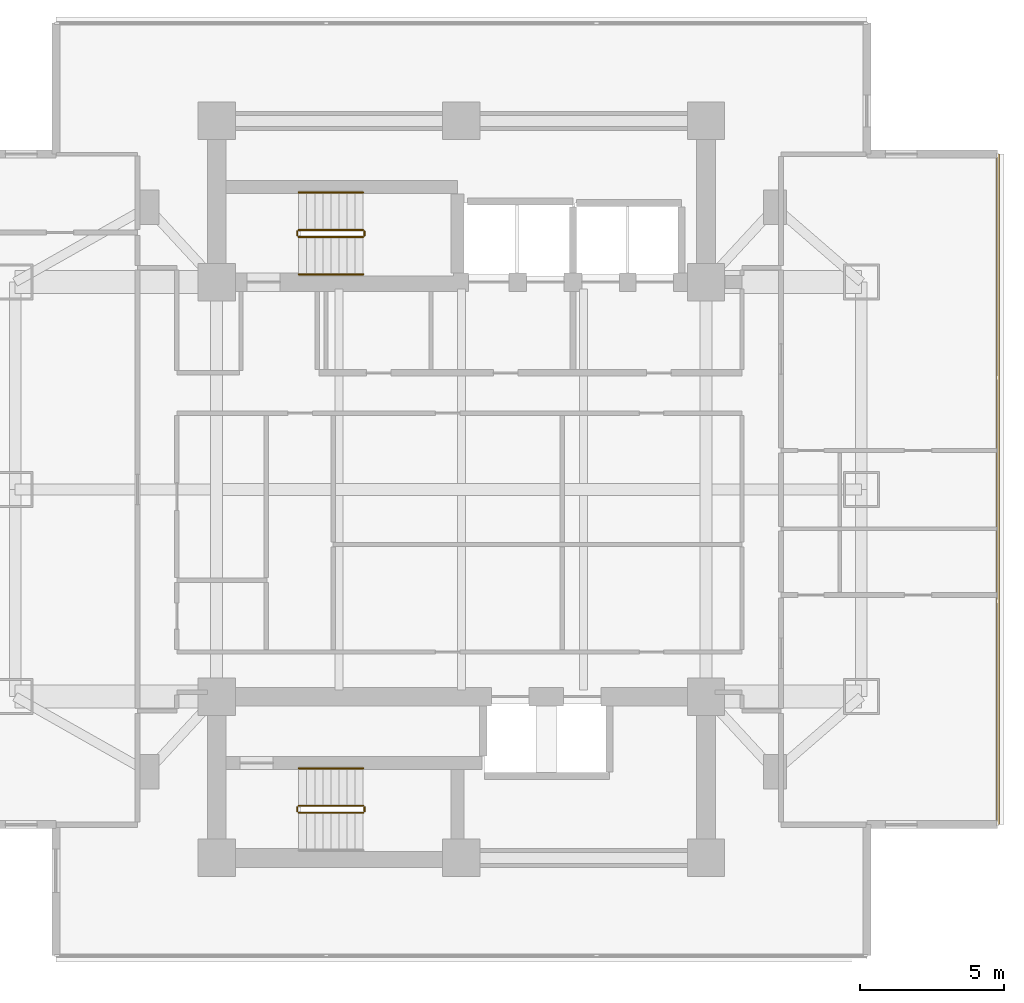
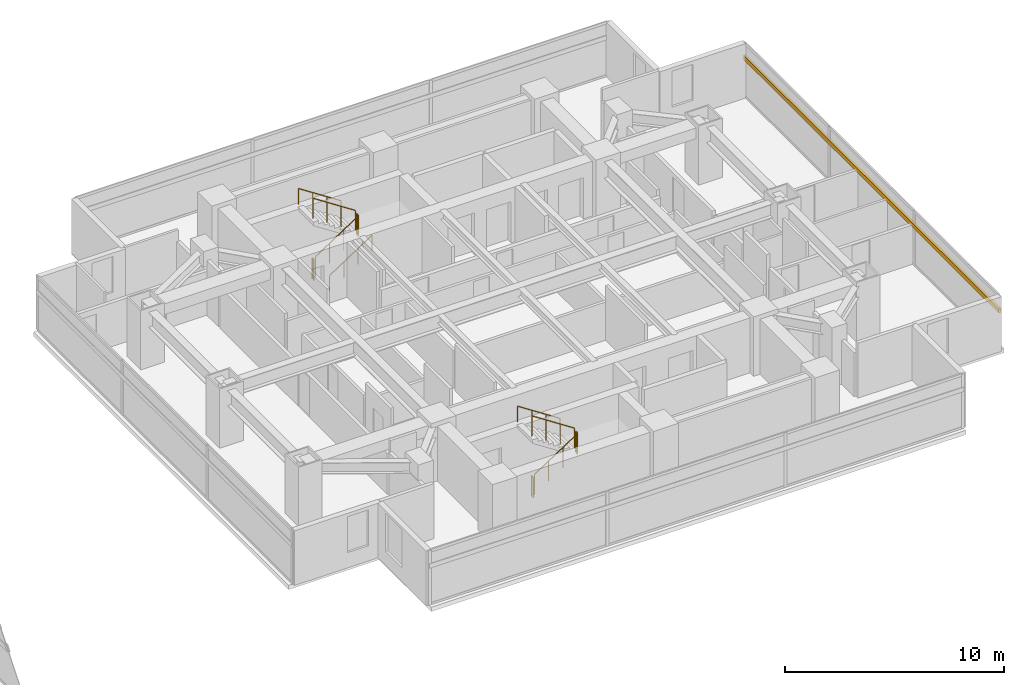
# One storey, part 23 of 24: 11 railings, 1 shading device.
"""IFC4 building model written with IfcOpenShell, lengths in metres."""

from ifc_helpers import new_model, si_unit, direction, frame, origin, origin_2d, place, context, subcontext, project, spatial, rectangle, circle, extrude, material, material_profile, profile_set, type_object, element, save


model = new_model("IFC4")

# Units and contexts
model_context = context("Model", 3, precision=1e-05, world=origin(), true_north=direction((0.0, 1.0)))
body_context = subcontext(model_context, "Body", "Model", "MODEL_VIEW")
ifc_project = project(units=[si_unit("LENGTHUNIT", "METRE"), si_unit("AREAUNIT", "SQUARE_METRE"), si_unit("VOLUMEUNIT", "CUBIC_METRE"), si_unit("PLANEANGLEUNIT", "RADIAN"), si_unit("MASSUNIT", "GRAM", prefix="KILO")], contexts=[model_context])

# Site, building, storey
site_placement = place(None, origin())
site = spatial("IfcSite", under=ifc_project, at=site_placement, CompositionType="ELEMENT")
building_placement = place(site_placement, origin())
building = spatial("IfcBuilding", under=site, at=building_placement, Name="Mirazonda Arch Towers", CompositionType="ELEMENT")
storey_placement = place(building_placement, frame((0.0, 0.0, 68.60009765625)))
storey = spatial("IfcBuildingStorey", under=building, at=storey_placement, Name="L19", CompositionType="ELEMENT", Elevation=68.60009765625)

# Shading device
ifc_material_1 = material(Name="Kiln-Fired Architectural Terracotta", Category="masonry")
ifc_material_profile = material_profile(ifc_material_1, rectangle(XDim=0.1201171875, YDim=0.239990234375, at=origin_2d()), Name="TERRA-BAG-120x240")
ifc_profile_set = profile_set([ifc_material_profile], Name="Kiln-Fired Architectural Terracotta")
shading_device_type = type_object("IfcShadingDeviceType", Name="BAGUETTE-1", PredefinedType="USERDEFINED", material=ifc_profile_set)
shading_device_placement = place(storey_placement, frame((95.1298828125, 16.353515625, 2.188720703125), z_axis=(0.0, 1.0, 0.0), x_axis=(-1.0, 0.0, 0.0)))
element("IfcShadingDevice", 1, at=shading_device_placement, inside=storey, type_object=shading_device_type, Name="L19 Glazed Terracotta Sun-Screen Baguette CW-L19-T2-E", ObjectType="BAGUETTE", PredefinedType="USERDEFINED", context=body_context, shape_type="SweptSolid", body=[
    extrude(rectangle(XDim=0.1201171875, YDim=0.239990234375, at=origin_2d()), origin(), (0.0, 0.0, 1.0), 23.29296875),
])

# Railings
ifc_material_2 = material(Name="Architectural Brushed Steel S355", Category="steel")
railing_type_1 = type_object("IfcRailingType", Name="GUARD-STAIR-1120", PredefinedType="GUARDRAIL", material=ifc_material_2)
railing_1_placement = place(storey_placement, frame((70.85009765625, 36.77001953125, 0.183349609375)))
element("IfcRailing", 2, at=railing_1_placement, inside=storey, type_object=railing_type_1, Name="L19 ST-T2N stair guard 1", PredefinedType="GUARDRAIL", context=body_context, shape_type="SweptSolid", body=[
    extrude(circle(Radius=0.02392578125, at=origin_2d()), frame((0.0, 0.0, 1.1259765625), z_axis=(0.836636935527, 0.0, 0.547757827979), x_axis=(0.0, 1.0, 0.0)), (0.0, 0.0, 1.0), 2.677490234375),
    extrude(circle(Radius=0.02099609375, at=origin_2d()), origin(), (0.0, 0.0, 1.0), 1.101806640625),
    extrude(circle(Radius=0.02099609375, at=origin_2d()), frame((0.74658203125, 0.0, 0.48876953125)), (0.0, 0.0, 1.0), 1.101806640625),
    extrude(circle(Radius=0.02099609375, at=origin_2d()), frame((1.493408203125, 0.0, 0.977783203125)), (0.0, 0.0, 1.0), 1.101806640625),
    extrude(circle(Radius=0.02099609375, at=origin_2d()), frame((2.239990234375, 0.0, 1.466552734375)), (0.0, 0.0, 1.0), 1.101806640625),
])
railing_2_placement = place(storey_placement, frame((73.139892578125, 36.820068359375, 1.64990234375)))
element("IfcRailing", 3, at=railing_2_placement, inside=storey, type_object=railing_type_1, Name="L19 ST-T2N stair guard 2", PredefinedType="GUARDRAIL", context=body_context, shape_type="SweptSolid", body=[
    extrude(circle(Radius=0.02392578125, at=origin_2d()), frame((0.0, 0.0, 1.1259765625), z_axis=(0.0, 1.0, 0.0), x_axis=(-1.0, 0.0, 0.0)), (0.0, 0.0, 1.0), 0.139892578125),
    extrude(circle(Radius=0.02099609375, at=origin_2d()), origin(), (0.0, 0.0, 1.0), 1.101806640625),
    extrude(circle(Radius=0.02099609375, at=origin_2d()), frame((0.0, 0.139892578125, 0.0)), (0.0, 0.0, 1.0), 1.101806640625),
])
railing_3_placement = place(storey_placement, frame((73.090087890625, 37.010009765625, 1.833251953125)))
element("IfcRailing", 4, at=railing_3_placement, inside=storey, type_object=railing_type_1, Name="L19 ST-T2N stair guard 3", PredefinedType="GUARDRAIL", context=body_context, shape_type="SweptSolid", body=[
    extrude(circle(Radius=0.02392578125, at=origin_2d()), frame((0.0, 0.0, 1.1259765625), z_axis=(-0.836636935527, 0.0, 0.547757827979), x_axis=(0.0, -1.0, 0.0)), (0.0, 0.0, 1.0), 2.677490234375),
    extrude(circle(Radius=0.02099609375, at=origin_2d()), origin(), (0.0, 0.0, 1.0), 1.101806640625),
    extrude(circle(Radius=0.02099609375, at=origin_2d()), frame((-0.74658203125, 0.0, 0.48876953125)), (0.0, 0.0, 1.0), 1.101806640625),
    extrude(circle(Radius=0.02099609375, at=origin_2d()), frame((-1.493408203125, 0.0, 0.977783203125)), (0.0, 0.0, 1.0), 1.101806640625),
    extrude(circle(Radius=0.02099609375, at=origin_2d()), frame((-2.239990234375, 0.0, 1.466552734375)), (0.0, 0.0, 1.0), 1.101806640625),
])
railing_4_placement = place(storey_placement, frame((70.800048828125, 36.820068359375, 0.0)))
element("IfcRailing", 5, at=railing_4_placement, inside=storey, type_object=railing_type_1, Name="L19 ST-T2N stair guard 4", PredefinedType="GUARDRAIL", context=body_context, shape_type="SweptSolid", body=[
    extrude(circle(Radius=0.02392578125, at=origin_2d()), frame((0.0, 0.0, 1.1259765625), z_axis=(0.0, 1.0, 0.0), x_axis=(-1.0, 0.0, 0.0)), (0.0, 0.0, 1.0), 0.139892578125),
    extrude(circle(Radius=0.02099609375, at=origin_2d()), origin(), (0.0, 0.0, 1.0), 1.101806640625),
    extrude(circle(Radius=0.02099609375, at=origin_2d()), frame((0.0, 0.139892578125, 0.0)), (0.0, 0.0, 1.0), 1.101806640625),
])
railing_5_placement = place(storey_placement, frame((70.85009765625, 16.77001953125, 0.183349609375)))
element("IfcRailing", 6, at=railing_5_placement, inside=storey, type_object=railing_type_1, Name="L19 ST-T2S stair guard 1", PredefinedType="GUARDRAIL", context=body_context, shape_type="SweptSolid", body=[
    extrude(circle(Radius=0.02392578125, at=origin_2d()), frame((0.0, 0.0, 1.1259765625), z_axis=(0.836636935527, 0.0, 0.547757827979), x_axis=(0.0, 1.0, 0.0)), (0.0, 0.0, 1.0), 2.677490234375),
    extrude(circle(Radius=0.02099609375, at=origin_2d()), origin(), (0.0, 0.0, 1.0), 1.101806640625),
    extrude(circle(Radius=0.02099609375, at=origin_2d()), frame((0.74658203125, 0.0, 0.48876953125)), (0.0, 0.0, 1.0), 1.101806640625),
    extrude(circle(Radius=0.02099609375, at=origin_2d()), frame((1.493408203125, 0.0, 0.977783203125)), (0.0, 0.0, 1.0), 1.101806640625),
    extrude(circle(Radius=0.02099609375, at=origin_2d()), frame((2.239990234375, 0.0, 1.466552734375)), (0.0, 0.0, 1.0), 1.101806640625),
])
railing_6_placement = place(storey_placement, frame((73.139892578125, 16.820068359375, 1.64990234375)))
element("IfcRailing", 7, at=railing_6_placement, inside=storey, type_object=railing_type_1, Name="L19 ST-T2S stair guard 2", PredefinedType="GUARDRAIL", context=body_context, shape_type="SweptSolid", body=[
    extrude(circle(Radius=0.02392578125, at=origin_2d()), frame((0.0, 0.0, 1.1259765625), z_axis=(0.0, 1.0, 0.0), x_axis=(-1.0, 0.0, 0.0)), (0.0, 0.0, 1.0), 0.139892578125),
    extrude(circle(Radius=0.02099609375, at=origin_2d()), origin(), (0.0, 0.0, 1.0), 1.101806640625),
    extrude(circle(Radius=0.02099609375, at=origin_2d()), frame((0.0, 0.139892578125, 0.0)), (0.0, 0.0, 1.0), 1.101806640625),
])
railing_7_placement = place(storey_placement, frame((73.090087890625, 17.010009765625, 1.833251953125)))
element("IfcRailing", 8, at=railing_7_placement, inside=storey, type_object=railing_type_1, Name="L19 ST-T2S stair guard 3", PredefinedType="GUARDRAIL", context=body_context, shape_type="SweptSolid", body=[
    extrude(circle(Radius=0.02392578125, at=origin_2d()), frame((0.0, 0.0, 1.1259765625), z_axis=(-0.836636935527, 0.0, 0.547757827979), x_axis=(0.0, -1.0, 0.0)), (0.0, 0.0, 1.0), 2.677490234375),
    extrude(circle(Radius=0.02099609375, at=origin_2d()), origin(), (0.0, 0.0, 1.0), 1.101806640625),
    extrude(circle(Radius=0.02099609375, at=origin_2d()), frame((-0.74658203125, 0.0, 0.48876953125)), (0.0, 0.0, 1.0), 1.101806640625),
    extrude(circle(Radius=0.02099609375, at=origin_2d()), frame((-1.493408203125, 0.0, 0.977783203125)), (0.0, 0.0, 1.0), 1.101806640625),
    extrude(circle(Radius=0.02099609375, at=origin_2d()), frame((-2.239990234375, 0.0, 1.466552734375)), (0.0, 0.0, 1.0), 1.101806640625),
])
railing_8_placement = place(storey_placement, frame((70.800048828125, 16.820068359375, 0.0)))
element("IfcRailing", 9, at=railing_8_placement, inside=storey, type_object=railing_type_1, Name="L19 ST-T2S stair guard 4", PredefinedType="GUARDRAIL", context=body_context, shape_type="SweptSolid", body=[
    extrude(circle(Radius=0.02392578125, at=origin_2d()), frame((0.0, 0.0, 1.1259765625), z_axis=(0.0, 1.0, 0.0), x_axis=(-1.0, 0.0, 0.0)), (0.0, 0.0, 1.0), 0.139892578125),
    extrude(circle(Radius=0.02099609375, at=origin_2d()), origin(), (0.0, 0.0, 1.0), 1.101806640625),
    extrude(circle(Radius=0.02099609375, at=origin_2d()), frame((0.0, 0.139892578125, 0.0)), (0.0, 0.0, 1.0), 1.101806640625),
])
railing_type_2 = type_object("IfcRailingType", Name="HANDRAIL-915", PredefinedType="HANDRAIL", material=ifc_material_2)
railing_9_placement = place(storey_placement, frame((70.85009765625, 35.469970703125, 0.183349609375)))
element("IfcRailing", 10, at=railing_9_placement, inside=storey, type_object=railing_type_2, Name="L19 ST-T2N stair handrail 1", PredefinedType="HANDRAIL", context=body_context, shape_type="SweptSolid", body=[
    extrude(circle(Radius=0.02392578125, at=origin_2d()), frame((0.0, 0.0, 0.8759765625), z_axis=(0.836636935527, 0.0, 0.547757827979), x_axis=(0.0, 1.0, 0.0)), (0.0, 0.0, 1.0), 2.677490234375),
    extrude(circle(Radius=0.02099609375, at=origin_2d()), origin(), (0.0, 0.0, 1.0), 0.851806640625),
    extrude(circle(Radius=0.02099609375, at=origin_2d()), frame((0.74658203125, 0.0, 0.48876953125)), (0.0, 0.0, 1.0), 0.851806640625),
    extrude(circle(Radius=0.02099609375, at=origin_2d()), frame((1.493408203125, 0.0, 0.977783203125)), (0.0, 0.0, 1.0), 0.851806640625),
    extrude(circle(Radius=0.02099609375, at=origin_2d()), frame((2.239990234375, 0.0, 1.466552734375)), (0.0, 0.0, 1.0), 0.851806640625),
])
for number, where, name in (
    (11, (73.090087890625, 38.31005859375, 1.833251953125), "L19 ST-T2N stair handrail 2"),
    (12, (73.090087890625, 18.31005859375, 1.833251953125), "L19 ST-T2S stair handrail 2"),
):
    element("IfcRailing", number, at=place(storey_placement, frame(where)), inside=storey, type_object=railing_type_2, Name=name, PredefinedType="HANDRAIL", context=body_context, shape_type="SweptSolid", body=[
        extrude(circle(Radius=0.02392578125, at=origin_2d()), frame((0.0, 0.0, 0.8759765625), z_axis=(-0.836636935527, 0.0, 0.547757827979), x_axis=(0.0, -1.0, 0.0)), (0.0, 0.0, 1.0), 2.677490234375),
        extrude(circle(Radius=0.02099609375, at=origin_2d()), origin(), (0.0, 0.0, 1.0), 0.851806640625),
        extrude(circle(Radius=0.02099609375, at=origin_2d()), frame((-0.74658203125, 0.0, 0.48876953125)), (0.0, 0.0, 1.0), 0.851806640625),
        extrude(circle(Radius=0.02099609375, at=origin_2d()), frame((-1.493408203125, 0.0, 0.977783203125)), (0.0, 0.0, 1.0), 0.851806640625),
        extrude(circle(Radius=0.02099609375, at=origin_2d()), frame((-2.239990234375, 0.0, 1.466552734375)), (0.0, 0.0, 1.0), 0.851806640625),
    ])

save(model, "model.ifc")
